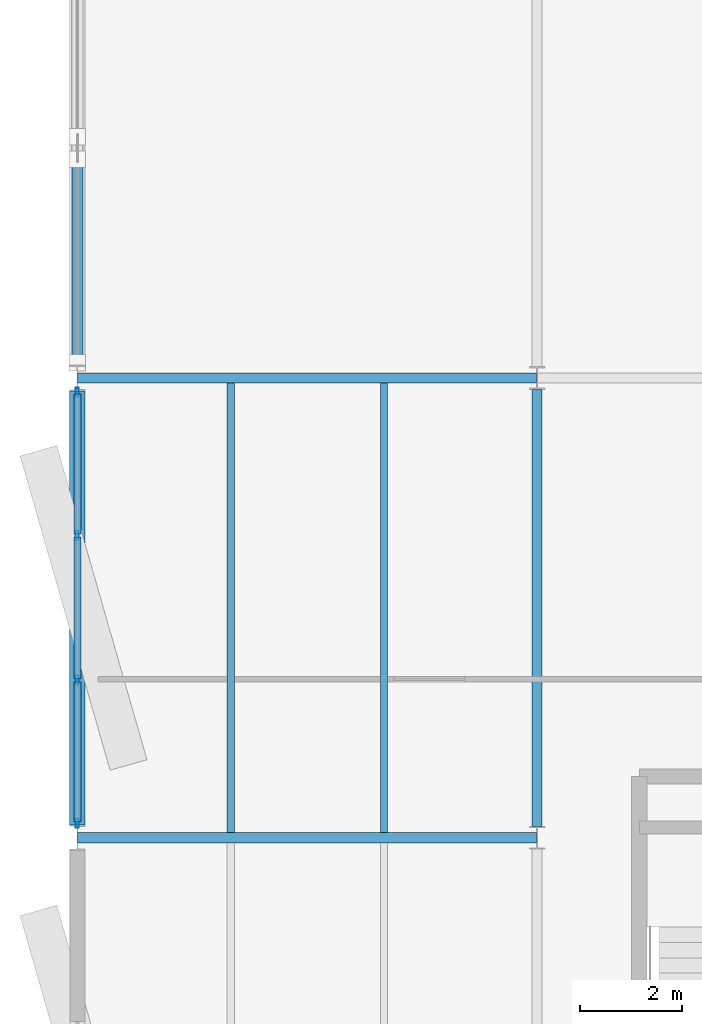
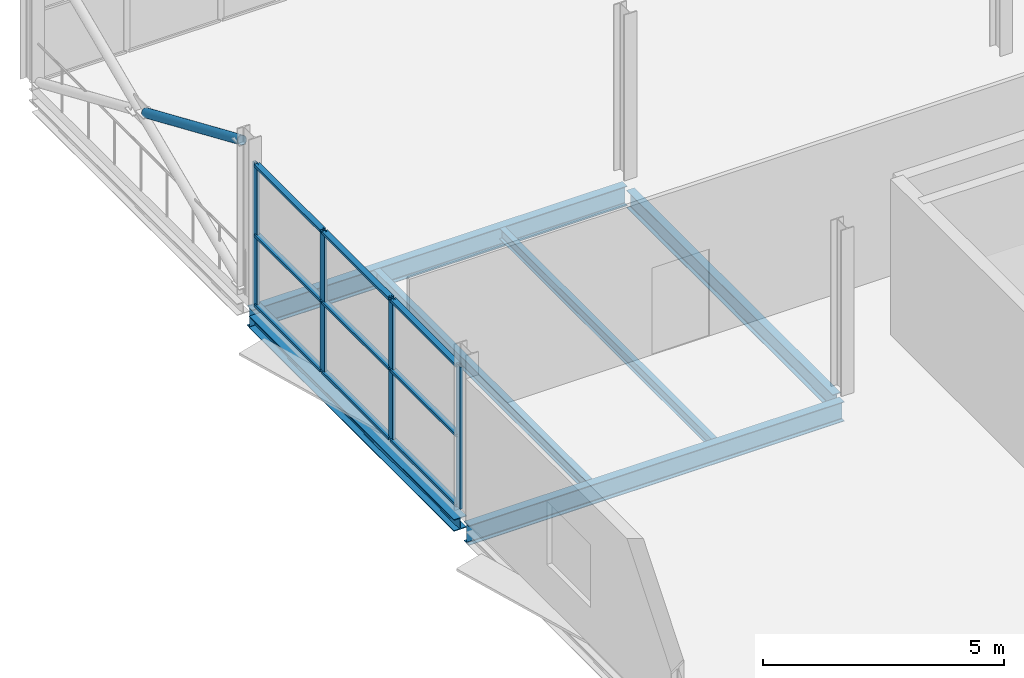
# One storey, part 60 of 135: 14 members, 6 beams, 1 element without a shape of its own.
"""IFC4 building model written with IfcOpenShell, lengths in metres."""

from ifc_helpers import new_model, si_unit, direction, frame, origin, origin_2d, place, context, subcontext, project, spatial, hollow_rectangle, hollow_circle, i_section, extrude, material, layer, layer_set, material_profile, profile_set, type_object, element, aggregate, save


model = new_model("IFC4")

# Units and contexts
model_context = context("Model", 3, precision=1e-05, world=origin(), true_north=direction((0.0, 1.0)))
body_context = subcontext(model_context, "Body", "Model", "MODEL_VIEW")
ifc_project = project(units=[si_unit("LENGTHUNIT", "METRE"), si_unit("AREAUNIT", "SQUARE_METRE"), si_unit("VOLUMEUNIT", "CUBIC_METRE"), si_unit("PLANEANGLEUNIT", "RADIAN"), si_unit("MASSUNIT", "GRAM", prefix="KILO")], contexts=[model_context])

# Site, building, storey
site_placement = place(None, origin())
site = spatial("IfcSite", under=ifc_project, at=site_placement, CompositionType="ELEMENT")
building_placement = place(site_placement, origin())
building = spatial("IfcBuilding", under=site, at=building_placement, Name="Deido Ridge Mobility Hub", CompositionType="ELEMENT")
storey_placement = place(building_placement, frame((0.0, 0.0, 4.199951171875)))
storey = spatial("IfcBuildingStorey", under=building, at=storey_placement, Name="L01", CompositionType="ELEMENT", Elevation=4.199951171875)

# Beams
ifc_material_1 = material(Name="Steel S355J2 EN 10025-2", Category="steel")
ifc_material_profile_1 = material_profile(ifc_material_1, i_section(OverallWidth=0.18994140625, OverallDepth=0.449951171875, WebThickness=0.009521484375, FlangeThickness=0.0146484375, FilletRadius=0.02099609375, at=origin_2d()), Name="IPE 450")
ifc_profile_set_1 = profile_set([ifc_material_profile_1], Name="Steel S355J2 EN 10025-2")
beam_type_1 = type_object("IfcBeamType", Name="BM-IPE450", PredefinedType="BEAM", material=ifc_profile_set_1)
beam_1_placement = place(storey_placement, frame((9.0, 63.22509765625, -0.474853515625), z_axis=(0.0, 1.0, 0.0), x_axis=(-1.0, 0.0, 0.0)))
element("IfcBeam", 1, at=beam_1_placement, inside=storey, type_object=beam_type_1, Name="Floor beam B4", PredefinedType="BEAM", context=body_context, shape_type="SweptSolid", body=[
    extrude(i_section(OverallWidth=0.18994140625, OverallDepth=0.449951171875, WebThickness=0.009521484375, FlangeThickness=0.0146484375, FilletRadius=0.02099609375, at=origin_2d()), origin(), (0.0, 0.0, 1.0), 8.5498046875),
])
ifc_material_profile_2 = material_profile(ifc_material_1, i_section(OverallWidth=0.199951171875, OverallDepth=0.5, WebThickness=0.01025390625, FlangeThickness=0.01611328125, FilletRadius=0.02099609375, at=origin_2d()), Name="IPE 500")
ifc_profile_set_2 = profile_set([ifc_material_profile_2], Name="Steel S355J2 EN 10025-2")
beam_type_2 = type_object("IfcBeamType", Name="BM-IPE500", PredefinedType="BEAM", material=ifc_profile_set_2)
for number, where, z_axis, x_axis, name in (
    (2, (0.00732421875, 63.0, -0.5), (1.0, 0.0, 0.0), (0.0, 1.0, 0.0), "Floor beam B3"),
    (3, (0.00732421875, 72.0, -0.5), (1.0, 0.0, 0.0), (0.0, 1.0, 0.0), "Floor beam B3"),
):
    element("IfcBeam", number, at=place(storey_placement, frame(where, z_axis=z_axis, x_axis=x_axis)), inside=storey, type_object=beam_type_2, Name=name, PredefinedType="BEAM", context=body_context, shape_type="SweptSolid", body=[
        extrude(i_section(OverallWidth=0.199951171875, OverallDepth=0.5, WebThickness=0.01025390625, FlangeThickness=0.01611328125, FilletRadius=0.02099609375, at=origin_2d()), origin(), (0.0, 0.0, 1.0), 8.985595703125),
    ])
ifc_material_profile_3 = material_profile(ifc_material_1, i_section(OverallWidth=0.135009765625, OverallDepth=0.27001953125, WebThickness=0.006591796875, FlangeThickness=0.01025390625, FilletRadius=0.014892578125, at=origin_2d()), Name="IPE 270")
ifc_profile_set_3 = profile_set([ifc_material_profile_3], Name="Steel S355J2 EN 10025-2")
beam_type_3 = type_object("IfcBeamType", Name="JST-IPE270", PredefinedType="JOIST", material=ifc_profile_set_3)
beam_2_placement = place(storey_placement, frame((6.0, 63.10009765625, -0.385009765625), z_axis=(0.0, 1.0, 0.0), x_axis=(-1.0, 0.0, 0.0)))
element("IfcBeam", 4, at=beam_2_placement, inside=storey, type_object=beam_type_3, Name="Composite joist J4", PredefinedType="JOIST", context=body_context, shape_type="SweptSolid", body=[
    extrude(i_section(OverallWidth=0.135009765625, OverallDepth=0.27001953125, WebThickness=0.006591796875, FlangeThickness=0.01025390625, FilletRadius=0.014892578125, at=origin_2d()), origin(), (0.0, 0.0, 1.0), 8.7998046875),
])
ifc_material_profile_4 = material_profile(ifc_material_1, i_section(OverallWidth=0.14990234375, OverallDepth=0.300048828125, WebThickness=0.007080078125, FlangeThickness=0.0107421875, FilletRadius=0.014892578125, at=origin_2d()), Name="IPE 300")
ifc_profile_set_4 = profile_set([ifc_material_profile_4], Name="Steel S355J2 EN 10025-2")
beam_type_4 = type_object("IfcBeamType", Name="JST-IPE300", PredefinedType="JOIST", material=ifc_profile_set_4)
beam_3_placement = place(storey_placement, frame((3.0, 63.10009765625, -0.39990234375), z_axis=(0.0, 1.0, 0.0), x_axis=(-1.0, 0.0, 0.0)))
element("IfcBeam", 5, at=beam_3_placement, inside=storey, type_object=beam_type_4, Name="Composite joist J3", PredefinedType="JOIST", context=body_context, shape_type="SweptSolid", body=[
    extrude(i_section(OverallWidth=0.14990234375, OverallDepth=0.300048828125, WebThickness=0.007080078125, FlangeThickness=0.0107421875, FilletRadius=0.014892578125, at=origin_2d()), origin(), (0.0, 0.0, 1.0), 8.7998046875),
])

# Member
ifc_material_2 = material(Name="Steel S355J2H EN 10210-1", Category="steel")
ifc_material_profile_5 = material_profile(ifc_material_2, hollow_circle(Radius=0.109619140625, WallThickness=0.010009765625, at=origin_2d()), Name="CHS 219.1x10")
ifc_profile_set_5 = profile_set([ifc_material_profile_5], Name="Steel S355J2H EN 10210-1")
member_type_1 = type_object("IfcMemberType", Name="MEM-BRC-CHS219", PredefinedType="BRACE", material=ifc_profile_set_5)
member_1_placement = place(storey_placement, frame((0.0, 76.27978515625, 2.095458984375), z_axis=(0.0, -0.917550833654, 0.397618495119), x_axis=(1.0, 0.0, 0.0)))
element("IfcMember", 6, at=member_1_placement, inside=storey, type_object=member_type_1, Name="Split X-brace diagonal segment BR2", PredefinedType="BRACE", context=body_context, shape_type="SweptSolid", body=[
    extrude(hollow_circle(Radius=0.109619140625, WallThickness=0.010009765625, at=origin_2d()), origin(), (0.0, 0.0, 1.0), 4.33740234375),
])

# Curtain wall, members
ifc_material_3 = material(Name="Anodised aluminium EN AW-6063 T6", Category="aluminium")
ifc_layer = layer(ifc_material_3, 0.2099609375, Name="Anodised aluminium EN AW-6063 T6")
ifc_layer_set = layer_set([ifc_layer], Name="Anodised aluminium EN AW-6063 T6")
curtain_wall_type = type_object("IfcCurtainWallType", Name="CW-UF-4", PredefinedType="USERDEFINED", material=ifc_layer_set)
curtain_wall_placement = place(storey_placement, origin())
curtain_wall = element("IfcCurtainWall", 7, at=curtain_wall_placement, inside=storey, type_object=curtain_wall_type, Name="Unitised curtain wall CW4", ObjectType="UNITISED FACADE", PredefinedType="USERDEFINED")
ifc_material_profile_6 = material_profile(ifc_material_3, hollow_rectangle(XDim=0.06494140625, YDim=0.175048828125, WallThickness=0.00390625, at=origin_2d()), Name="RHS 65x175x4")
ifc_profile_set_6 = profile_set([ifc_material_profile_6], Name="Anodised aluminium EN AW-6063 T6")
member_type_2 = type_object("IfcMemberType", Name="MEM-MUL-65X175", PredefinedType="MULLION", material=ifc_profile_set_6)
member_2_placement = place(storey_placement, frame((0.0, 63.282470703125, 0.0), z_axis=(0.0, 0.0, 1.0), x_axis=(-1.0, 0.0, 0.0)))
member_2 = element("IfcMember", 8, at=member_2_placement, type_object=member_type_2, Name="CW4 mullion 1", PredefinedType="MULLION", context=body_context, shape_type="SweptSolid", body=[
    extrude(hollow_rectangle(XDim=0.06494140625, YDim=0.175048828125, WallThickness=0.00390625, at=origin_2d()), origin(), (0.0, 0.0, 1.0), 3.60009765625),
])
member_3_placement = place(storey_placement, frame((0.0, 66.083251953125, 0.0), z_axis=(0.0, 0.0, 1.0), x_axis=(-1.0, 0.0, 0.0)))
member_3 = element("IfcMember", 9, at=member_3_placement, type_object=member_type_2, Name="CW4 mullion 2", PredefinedType="MULLION", context=body_context, shape_type="SweptSolid", body=[
    extrude(hollow_rectangle(XDim=0.06494140625, YDim=0.175048828125, WallThickness=0.00390625, at=origin_2d()), origin(), (0.0, 0.0, 1.0), 3.60009765625),
])
member_4_placement = place(storey_placement, frame((0.0, 68.916748046875, 0.0), z_axis=(0.0, 0.0, 1.0), x_axis=(-1.0, 0.0, 0.0)))
member_4 = element("IfcMember", 10, at=member_4_placement, type_object=member_type_2, Name="CW4 mullion 3", PredefinedType="MULLION", context=body_context, shape_type="SweptSolid", body=[
    extrude(hollow_rectangle(XDim=0.06494140625, YDim=0.175048828125, WallThickness=0.00390625, at=origin_2d()), origin(), (0.0, 0.0, 1.0), 3.60009765625),
])
member_5_placement = place(storey_placement, frame((0.0, 71.717529296875, 0.0), z_axis=(0.0, 0.0, 1.0), x_axis=(-1.0, 0.0, 0.0)))
member_5 = element("IfcMember", 11, at=member_5_placement, type_object=member_type_2, Name="CW4 mullion 4", PredefinedType="MULLION", context=body_context, shape_type="SweptSolid", body=[
    extrude(hollow_rectangle(XDim=0.06494140625, YDim=0.175048828125, WallThickness=0.00390625, at=origin_2d()), origin(), (0.0, 0.0, 1.0), 3.60009765625),
])
ifc_material_profile_7 = material_profile(ifc_material_3, hollow_rectangle(XDim=0.135009765625, YDim=0.06494140625, WallThickness=0.00390625, at=origin_2d()), Name="RHS 135x65x4")
ifc_profile_set_7 = profile_set([ifc_material_profile_7], Name="Anodised aluminium EN AW-6063 T6")
member_type_3 = type_object("IfcMemberType", Name="MEM-TRN-135X65", PredefinedType="USERDEFINED", material=ifc_profile_set_7)
member_6_placement = place(storey_placement, frame((0.0, 63.31494140625, 0.032470703125), z_axis=(0.0, 1.0, 0.0), x_axis=(-1.0, 0.0, 0.0)))
member_6 = element("IfcMember", 12, at=member_6_placement, type_object=member_type_3, Name="CW4 transom 1.1", ObjectType="TRANSOM", PredefinedType="USERDEFINED", context=body_context, shape_type="SweptSolid", body=[
    extrude(hollow_rectangle(XDim=0.135009765625, YDim=0.06494140625, WallThickness=0.00390625, at=origin_2d()), origin(), (0.0, 0.0, 1.0), 2.73583984375),
])
member_7_placement = place(storey_placement, frame((0.0, 63.31494140625, 1.800048828125), z_axis=(0.0, 1.0, 0.0), x_axis=(-1.0, 0.0, 0.0)))
member_7 = element("IfcMember", 13, at=member_7_placement, type_object=member_type_3, Name="CW4 transom 1.2", ObjectType="TRANSOM", PredefinedType="USERDEFINED", context=body_context, shape_type="SweptSolid", body=[
    extrude(hollow_rectangle(XDim=0.135009765625, YDim=0.06494140625, WallThickness=0.00390625, at=origin_2d()), origin(), (0.0, 0.0, 1.0), 2.73583984375),
])
member_8_placement = place(storey_placement, frame((0.0, 63.31494140625, 3.567626953125), z_axis=(0.0, 1.0, 0.0), x_axis=(-1.0, 0.0, 0.0)))
member_8 = element("IfcMember", 14, at=member_8_placement, type_object=member_type_3, Name="CW4 transom 1.3", ObjectType="TRANSOM", PredefinedType="USERDEFINED", context=body_context, shape_type="SweptSolid", body=[
    extrude(hollow_rectangle(XDim=0.135009765625, YDim=0.06494140625, WallThickness=0.00390625, at=origin_2d()), origin(), (0.0, 0.0, 1.0), 2.73583984375),
])
member_9_placement = place(storey_placement, frame((0.0, 66.11572265625, 0.032470703125), z_axis=(0.0, 1.0, 0.0), x_axis=(-1.0, 0.0, 0.0)))
member_9 = element("IfcMember", 15, at=member_9_placement, type_object=member_type_3, Name="CW4 transom 2.1", ObjectType="TRANSOM", PredefinedType="USERDEFINED", context=body_context, shape_type="SweptSolid", body=[
    extrude(hollow_rectangle(XDim=0.135009765625, YDim=0.06494140625, WallThickness=0.00390625, at=origin_2d()), origin(), (0.0, 0.0, 1.0), 2.7685546875),
])
member_10_placement = place(storey_placement, frame((0.0, 66.11572265625, 1.800048828125), z_axis=(0.0, 1.0, 0.0), x_axis=(-1.0, 0.0, 0.0)))
member_10 = element("IfcMember", 16, at=member_10_placement, type_object=member_type_3, Name="CW4 transom 2.2", ObjectType="TRANSOM", PredefinedType="USERDEFINED", context=body_context, shape_type="SweptSolid", body=[
    extrude(hollow_rectangle(XDim=0.135009765625, YDim=0.06494140625, WallThickness=0.00390625, at=origin_2d()), origin(), (0.0, 0.0, 1.0), 2.7685546875),
])
member_11_placement = place(storey_placement, frame((0.0, 66.11572265625, 3.567626953125), z_axis=(0.0, 1.0, 0.0), x_axis=(-1.0, 0.0, 0.0)))
member_11 = element("IfcMember", 17, at=member_11_placement, type_object=member_type_3, Name="CW4 transom 2.3", ObjectType="TRANSOM", PredefinedType="USERDEFINED", context=body_context, shape_type="SweptSolid", body=[
    extrude(hollow_rectangle(XDim=0.135009765625, YDim=0.06494140625, WallThickness=0.00390625, at=origin_2d()), origin(), (0.0, 0.0, 1.0), 2.7685546875),
])
member_12_placement = place(storey_placement, frame((0.0, 68.94921875, 0.032470703125), z_axis=(0.0, 1.0, 0.0), x_axis=(-1.0, 0.0, 0.0)))
member_12 = element("IfcMember", 18, at=member_12_placement, type_object=member_type_3, Name="CW4 transom 3.1", ObjectType="TRANSOM", PredefinedType="USERDEFINED", context=body_context, shape_type="SweptSolid", body=[
    extrude(hollow_rectangle(XDim=0.135009765625, YDim=0.06494140625, WallThickness=0.00390625, at=origin_2d()), origin(), (0.0, 0.0, 1.0), 2.73583984375),
])
member_13_placement = place(storey_placement, frame((0.0, 68.94921875, 1.800048828125), z_axis=(0.0, 1.0, 0.0), x_axis=(-1.0, 0.0, 0.0)))
member_13 = element("IfcMember", 19, at=member_13_placement, type_object=member_type_3, Name="CW4 transom 3.2", ObjectType="TRANSOM", PredefinedType="USERDEFINED", context=body_context, shape_type="SweptSolid", body=[
    extrude(hollow_rectangle(XDim=0.135009765625, YDim=0.06494140625, WallThickness=0.00390625, at=origin_2d()), origin(), (0.0, 0.0, 1.0), 2.73583984375),
])
member_14_placement = place(storey_placement, frame((0.0, 68.94921875, 3.567626953125), z_axis=(0.0, 1.0, 0.0), x_axis=(-1.0, 0.0, 0.0)))
member_14 = element("IfcMember", 20, at=member_14_placement, type_object=member_type_3, Name="CW4 transom 3.3", ObjectType="TRANSOM", PredefinedType="USERDEFINED", context=body_context, shape_type="SweptSolid", body=[
    extrude(hollow_rectangle(XDim=0.135009765625, YDim=0.06494140625, WallThickness=0.00390625, at=origin_2d()), origin(), (0.0, 0.0, 1.0), 2.73583984375),
])
aggregate(curtain_wall, [member_2, member_3, member_4, member_5, member_6, member_7, member_8, member_9, member_10, member_11, member_12, member_13, member_14])

# Beam
ifc_material_profile_8 = material_profile(ifc_material_1, i_section(OverallWidth=0.300048828125, OverallDepth=0.300048828125, WebThickness=0.010986328125, FlangeThickness=0.01904296875, FilletRadius=0.027099609375, at=origin_2d()), Name="HEB 300")
ifc_profile_set_8 = profile_set([ifc_material_profile_8], Name="Steel S355J2 EN 10025-2")
beam_type_5 = type_object("IfcBeamType", Name="SPD-HEB300", PredefinedType="SPANDREL", material=ifc_profile_set_8)
beam_4_placement = place(storey_placement, frame((0.0, 63.25, -0.39990234375), z_axis=(0.0, 1.0, 0.0), x_axis=(-1.0, 0.0, 0.0)))
element("IfcBeam", 21, at=beam_4_placement, inside=storey, type_object=beam_type_5, Name="Floor beam SP1", PredefinedType="SPANDREL", context=body_context, shape_type="SweptSolid", body=[
    extrude(i_section(OverallWidth=0.300048828125, OverallDepth=0.300048828125, WebThickness=0.010986328125, FlangeThickness=0.01904296875, FilletRadius=0.027099609375, at=origin_2d()), origin(), (0.0, 0.0, 1.0), 8.5),
])

save(model, "model.ifc")
